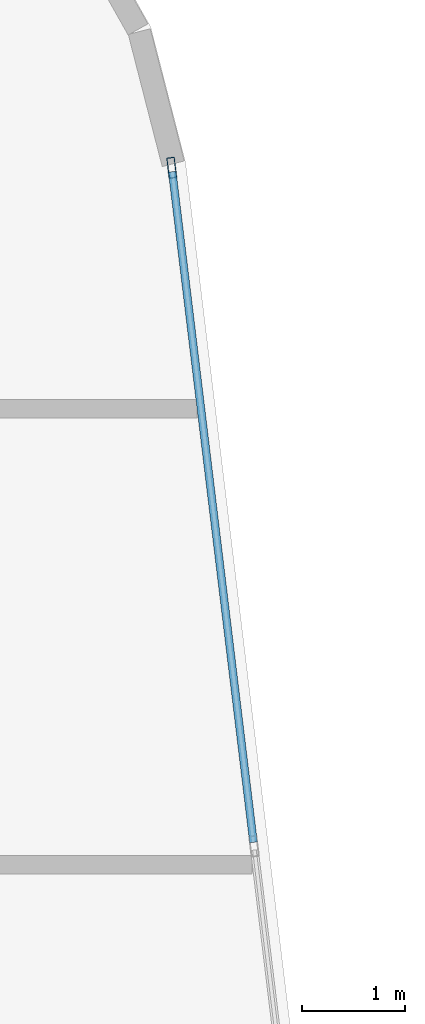
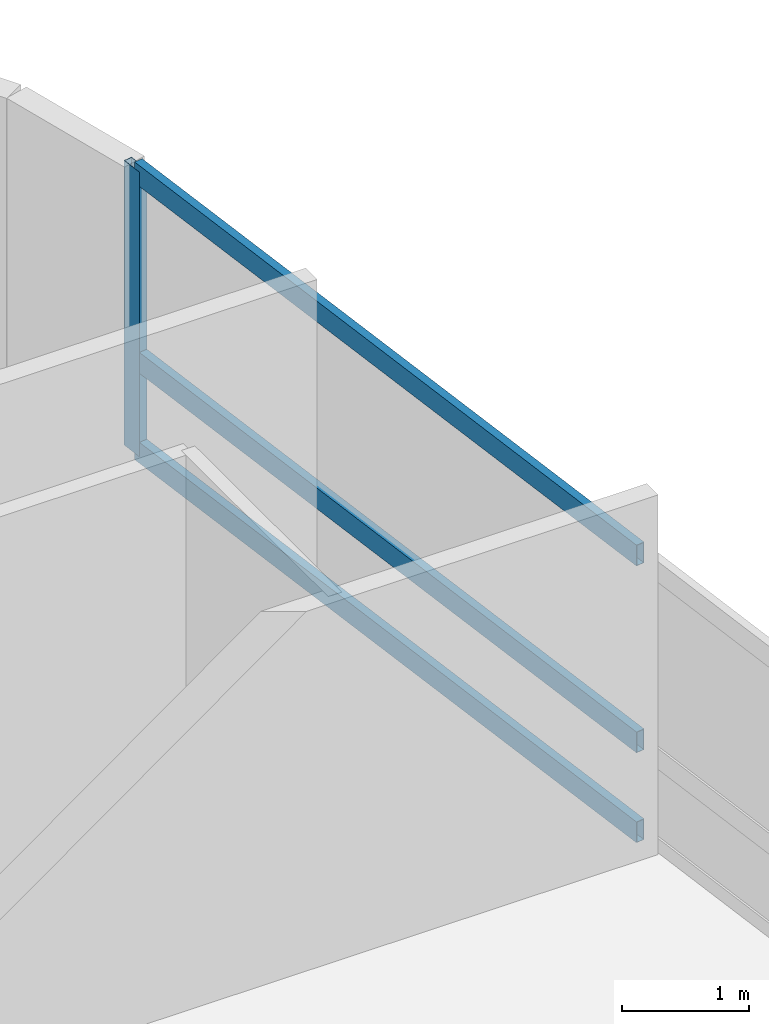
# One storey, part 13 of 24: 4 members, 1 element without a shape of its own.
"""IFC4 building model written with IfcOpenShell, lengths in metres."""

from ifc_helpers import new_model, si_unit, direction, frame, origin, origin_2d, place, context, subcontext, project, spatial, hollow_rectangle, extrude, material, layer, layer_set, material_profile, profile_set, type_object, element, aggregate, save


model = new_model("IFC4")

# Units and contexts
model_context = context("Model", 3, precision=1e-05, world=origin(), true_north=direction((0.0, 1.0)))
body_context = subcontext(model_context, "Body", "Model", "MODEL_VIEW")
ifc_project = project(units=[si_unit("LENGTHUNIT", "METRE"), si_unit("AREAUNIT", "SQUARE_METRE"), si_unit("VOLUMEUNIT", "CUBIC_METRE"), si_unit("PLANEANGLEUNIT", "RADIAN"), si_unit("MASSUNIT", "GRAM", prefix="KILO")], contexts=[model_context])

# Site, building, storey
site_placement = place(None, origin())
site = spatial("IfcSite", under=ifc_project, at=site_placement, CompositionType="ELEMENT")
building_placement = place(site_placement, origin())
building = spatial("IfcBuilding", under=site, at=building_placement, Name="Varnelok Gate Tower", CompositionType="ELEMENT")
storey_placement = place(building_placement, frame((0.0, 0.0, 196.800048828125)))
storey = spatial("IfcBuildingStorey", under=building, at=storey_placement, Name="L50", CompositionType="ELEMENT", Elevation=196.800048828125)

# Curtain wall, members
ifc_material = material(Name="Anodized Aluminum Alloy 6063-T6", Category="aluminium")
ifc_layer = layer(ifc_material, 0.179931640625)
ifc_layer_set = layer_set([ifc_layer], Name="Anodized Aluminum Alloy 6063-T6")
curtain_wall_type = type_object("IfcCurtainWallType", Name="CW4-RESIDENCE-VISION", PredefinedType="USERDEFINED", material=ifc_layer_set)
curtain_wall_placement = place(storey_placement, origin())
curtain_wall = element("IfcCurtainWall", 1, at=curtain_wall_placement, inside=storey, type_object=curtain_wall_type, Name="L50 East End Vision Curtain Wall", ObjectType="UNITISED CURTAIN WALL", PredefinedType="USERDEFINED")
ifc_material_profile_1 = material_profile(ifc_material, hollow_rectangle(XDim=0.074951171875, YDim=0.199951171875, WallThickness=0.00390625, at=origin_2d()), Name="ALU200X75X4")
ifc_profile_set_1 = profile_set([ifc_material_profile_1], Name="Anodized Aluminum Alloy 6063-T6")
member_type_1 = type_object("IfcMemberType", Name="CW-MULL-200", PredefinedType="MULLION", material=ifc_profile_set_1)
member_1_placement = place(storey_placement, frame((72.09912109375, 46.07275390625, 0.0), z_axis=(0.0, 0.0, 1.0), x_axis=(0.992732188751, 0.120344511371, 0.0)))
member_1 = element("IfcMember", 2, at=member_1_placement, type_object=member_type_1, Name="CW4 mullion 1", PredefinedType="MULLION", context=body_context, shape_type="SweptSolid", body=[
    extrude(hollow_rectangle(XDim=0.074951171875, YDim=0.199951171875, WallThickness=0.00390625, at=origin_2d()), origin(), (0.0, 0.0, 1.0), 2.72998046875),
])
ifc_material_profile_2 = material_profile(ifc_material, hollow_rectangle(XDim=0.074951171875, YDim=0.199951171875, WallThickness=0.00390625, at=origin_2d()), Name="ALU200X75X4")
ifc_profile_set_2 = profile_set([ifc_material_profile_2], Name="Anodized Aluminum Alloy 6063-T6")
member_type_2 = type_object("IfcMemberType", Name="CW-TRAN-200", PredefinedType="USERDEFINED", material=ifc_profile_set_2)
member_2_placement = place(storey_placement, frame((72.103759765625, 46.035400390625, 0.037353515625), z_axis=(0.120332477695, -0.992733647466, 0.0), x_axis=(0.992733647466, 0.120332477695, 0.0)))
member_2 = element("IfcMember", 3, at=member_2_placement, type_object=member_type_2, Name="CW4 transom 1.1", ObjectType="TRANSOM", PredefinedType="USERDEFINED", context=body_context, shape_type="SweptSolid", body=[
    extrude(hollow_rectangle(XDim=0.074951171875, YDim=0.199951171875, WallThickness=0.00390625, at=origin_2d()), origin(), (0.0, 0.0, 1.0), 6.5673828125),
])
member_3_placement = place(storey_placement, frame((72.103759765625, 46.035400390625, 0.89990234375), z_axis=(0.120332477695, -0.992733647466, 0.0), x_axis=(0.992733647466, 0.120332477695, 0.0)))
member_3 = element("IfcMember", 4, at=member_3_placement, type_object=member_type_2, Name="CW4 transom 1.2", ObjectType="TRANSOM", PredefinedType="USERDEFINED", context=body_context, shape_type="SweptSolid", body=[
    extrude(hollow_rectangle(XDim=0.074951171875, YDim=0.199951171875, WallThickness=0.00390625, at=origin_2d()), origin(), (0.0, 0.0, 1.0), 6.5673828125),
])
member_4_placement = place(storey_placement, frame((72.103759765625, 46.035400390625, 2.6923828125), z_axis=(0.120332477695, -0.992733647466, 0.0), x_axis=(0.992733647466, 0.120332477695, 0.0)))
member_4 = element("IfcMember", 5, at=member_4_placement, type_object=member_type_2, Name="CW4 transom 1.3", ObjectType="TRANSOM", PredefinedType="USERDEFINED", context=body_context, shape_type="SweptSolid", body=[
    extrude(hollow_rectangle(XDim=0.074951171875, YDim=0.199951171875, WallThickness=0.00390625, at=origin_2d()), origin(), (0.0, 0.0, 1.0), 6.5673828125),
])
aggregate(curtain_wall, [member_1, member_2, member_3, member_4])

save(model, "model.ifc")
